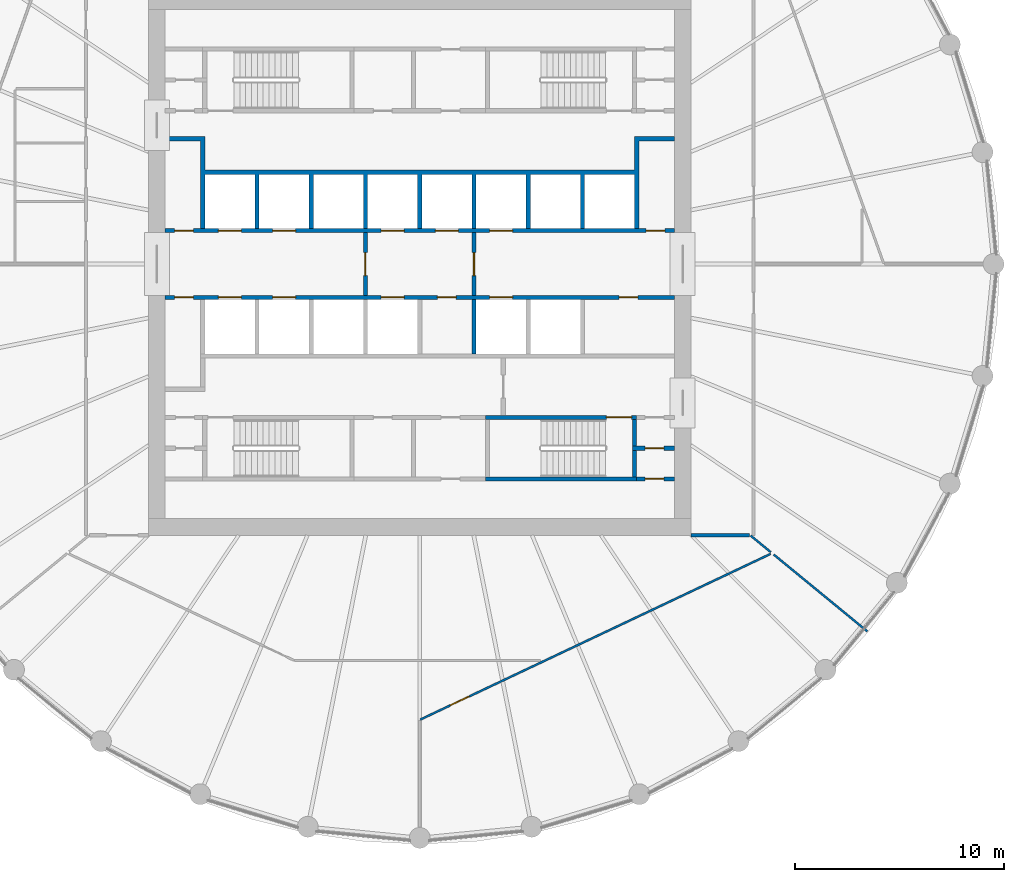
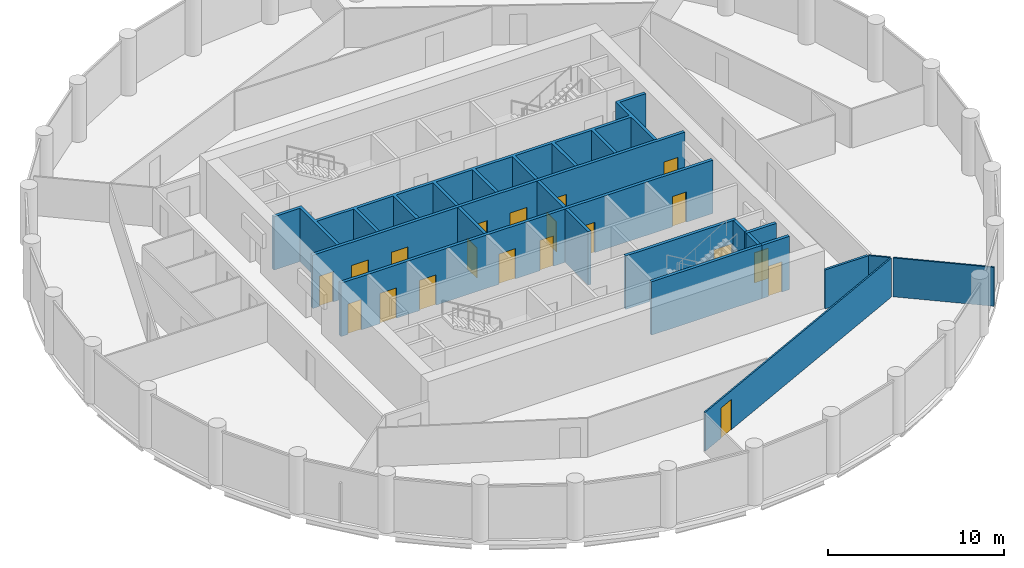
# One storey, part 5 of 8: 20 doors, 16 walls, 20 openings.
"""IFC4 building model written with IfcOpenShell, lengths in metres."""

import ifcopenshell
import ifcopenshell.guid

model = None  # the IFC model being written
_history = None  # IfcOwnerHistory: only IFC2X3 demands one
_inside = {}  # id of a spatial element -> (the spatial element, [elements in it])
_under = {}  # id of a project, library or spatial element -> (it, [spatial elements below it])
_declared = {}  # id of a project -> (the project, [libraries it declares])
_typed = {}  # id of a type object -> (the type object, [elements of that type])
_made_of = {}  # id of a material, layer set ... -> (it, [elements and type objects made of it])


def new_model(schema):
    """Start an empty IFC model of exactly this schema.

    Asked for "IFC4X3", IfcOpenShell would pick the latest addendum, in which some entities
    have other attributes; the version numbers below select the first issue.
    IFC2X3 requires an IfcOwnerHistory on every rooted entity: one is made here for all.
    """
    global model, _history
    if schema == "IFC4X3":
        model = ifcopenshell.file(schema_version=(4, 3, 0, 0))
    else:
        model = ifcopenshell.file(schema=schema)
    _inside.clear()
    _under.clear()
    _declared.clear()
    _typed.clear()
    _made_of.clear()
    _history = None
    if model.schema == "IFC2X3":
        org = make("IfcOrganization", Name="unknown")
        user = make(
            "IfcPersonAndOrganization",
            ThePerson=make("IfcPerson", FamilyName="unknown"),
            TheOrganization=org,
        )
        app = make(
            "IfcApplication",
            ApplicationDeveloper=org,
            Version="unknown",
            ApplicationFullName="unknown",
            ApplicationIdentifier="unknown",
        )
        _history = make(
            "IfcOwnerHistory",
            OwningUser=user,
            OwningApplication=app,
            ChangeAction="ADDED",
            CreationDate=0,
        )
    return model


def make(cls, **values):
    """One entity of the class cls with the attributes given. An attribute that is None is left unset."""
    return model.create_entity(
        cls, **{name: value for name, value in values.items() if value is not None}
    )


def rooted(cls, **values):
    """An entity with a GlobalId (a new one), such as an element, a storey or a relation."""
    return make(cls, GlobalId=ifcopenshell.guid.new(), OwnerHistory=_history, **values)


def si_unit(unit_type, name, prefix=None):
    """IfcSIUnit, for example si_unit("LENGTHUNIT", "METRE", prefix="MILLI")."""
    return make("IfcSIUnit", UnitType=unit_type, Prefix=prefix, Name=name)


def assignment(units):
    """IfcUnitAssignment: the units of a project."""
    return None if units is None else make("IfcUnitAssignment", Units=units)


def point(xyz):
    """IfcCartesianPoint."""
    return None if xyz is None else make("IfcCartesianPoint", Coordinates=xyz)


def direction(xyz):
    """IfcDirection."""
    return None if xyz is None else make("IfcDirection", DirectionRatios=xyz)


def frame(location, z_axis=None, x_axis=None):
    """IfcAxis2Placement3D, a coordinate frame: its origin and axes. An axis left out is left unset."""
    return make(
        "IfcAxis2Placement3D",
        Location=point(location),
        Axis=direction(z_axis),
        RefDirection=direction(x_axis),
    )


def frame_2d(location, x_axis=None):
    """IfcAxis2Placement2D, a coordinate frame in the plane: its origin and x axis."""
    return make(
        "IfcAxis2Placement2D", Location=point(location), RefDirection=direction(x_axis)
    )


def origin():
    """The frame at (0, 0, 0) with its axes left unset."""
    return frame((0.0, 0.0, 0.0))


def place(relative_to, where):
    """IfcLocalPlacement: puts the frame where relative to a parent placement (None: the world)."""
    return make(
        "IfcLocalPlacement", PlacementRelTo=relative_to, RelativePlacement=where
    )


def context(
    kind, dimensions, precision=None, world=None, true_north=None, identifier=None
):
    """IfcGeometricRepresentationContext, for example the 3D "Model" context."""
    return make(
        "IfcGeometricRepresentationContext",
        ContextIdentifier=identifier,
        ContextType=kind,
        CoordinateSpaceDimension=dimensions,
        Precision=precision,
        WorldCoordinateSystem=world,
        TrueNorth=true_north,
    )


def subcontext(parent, identifier, kind, view, scale=None):
    """IfcGeometricRepresentationSubContext, for example "Body" below "Model"."""
    return make(
        "IfcGeometricRepresentationSubContext",
        ContextIdentifier=identifier,
        ContextType=kind,
        ParentContext=parent,
        TargetScale=scale,
        TargetView=view,
    )


def project(units=None, contexts=None):
    """IfcProject with its units and contexts."""
    return rooted(
        "IfcProject",
        Name="project",
        RepresentationContexts=contexts,
        UnitsInContext=assignment(units),
    )


def spatial(cls, under=None, at=None, **own):
    """A site, building, storey or space (cls), placed at a placement, below another one or the project."""
    s = rooted(cls, ObjectPlacement=at, **own)
    if under is not None:
        _under.setdefault(under.id(), (under, []))[1].append(s)
    return s


def polyline(points):
    """IfcPolyline through the points."""
    return make("IfcPolyline", Points=[point(p) for p in points])


def profile(cls, at=None, kind="AREA", **sizes):
    """A parametric profile (cls). Its sizes go by their IFC names, for example OverallWidth=200.0."""
    return make(cls, ProfileType=kind, Position=at, **sizes)


def rectangle(**sizes):
    """IfcRectangleProfileDef."""
    return profile("IfcRectangleProfileDef", **sizes)


def outline(outer, holes=None, kind="AREA"):
    """IfcArbitraryClosedProfileDef: a profile drawn as a closed curve; with holes, ...WithVoids."""
    if holes is None:
        return make("IfcArbitraryClosedProfileDef", ProfileType=kind, OuterCurve=outer)
    return make(
        "IfcArbitraryProfileDefWithVoids",
        ProfileType=kind,
        OuterCurve=outer,
        InnerCurves=holes,
    )


def extrude(swept, where, along, depth):
    """IfcExtrudedAreaSolid: the profile swept, set in the frame where, extruded along a direction by depth."""
    return make(
        "IfcExtrudedAreaSolid",
        SweptArea=swept,
        Position=where,
        ExtrudedDirection=direction(along),
        Depth=depth,
    )


def shape(context_of_items, identifier, shape_type, items):
    """IfcShapeRepresentation: the items that make up one representation, for example the "Body"."""
    return make(
        "IfcShapeRepresentation",
        ContextOfItems=context_of_items,
        RepresentationIdentifier=identifier,
        RepresentationType=shape_type,
        Items=items,
    )


def material(Name=None, Category=None):
    """IfcMaterial."""
    return make("IfcMaterial", Name=Name, Category=Category)


def layer(
    of_material, thickness, ventilated=None, Name=None, Category=None, Priority=None
):
    """IfcMaterialLayer: one layer of a wall or slab, of a material (None: an air gap)."""
    return make(
        "IfcMaterialLayer",
        Material=of_material,
        LayerThickness=thickness,
        IsVentilated=ventilated,
        Name=Name,
        Category=Category,
        Priority=Priority,
    )


def layer_set(layers, Name=None):
    """IfcMaterialLayerSet."""
    return make("IfcMaterialLayerSet", MaterialLayers=layers, LayerSetName=Name)


def made_of(thing, what):
    """Note that an element or type object is made of a material, layer set ...; save() writes the relation."""
    if what is not None:
        _made_of.setdefault(what.id(), (what, []))[1].append(thing)
    return thing


def type_object(cls, material=None, **own):
    """A type object (cls), such as IfcWallType, which elements share."""
    return made_of(rooted(cls, **own), material)


def element(
    cls,
    number,
    at=None,
    inside=None,
    cuts=None,
    type_object=None,
    material=None,
    context=None,
    identifier="Body",
    shape_type=None,
    held_by="IfcProductDefinitionShape",
    body=None,
    shapes=None,
    **own,
):
    """One element of the class cls, such as IfcWall. Its Tag is "e" and its number.

    at: its placement. inside: the storey or other place that contains it. cuts: it is an
    opening in that element (IfcRelVoidsElement). A single representation is given by context,
    identifier, shape_type and body (its items); several are given by shapes. held_by: the class
    of the entity that holds the representations. save() writes the other relations.
    """
    e = rooted(cls, Tag="e%d" % number, ObjectPlacement=at, **own)
    if body is not None:
        shapes = [shape(context, identifier, shape_type, body)]
    if shapes is not None:
        e.Representation = make(held_by, Representations=shapes)
    if inside is not None:
        _inside.setdefault(inside.id(), (inside, []))[1].append(e)
    if cuts is not None:
        rooted(
            "IfcRelVoidsElement", RelatingBuildingElement=cuts, RelatedOpeningElement=e
        )
    if type_object is not None:
        _typed.setdefault(type_object.id(), (type_object, []))[1].append(e)
    return made_of(e, material)


def fill(opening, filler):
    """IfcRelFillsElement: the door or window that sits in an opening."""
    return rooted(
        "IfcRelFillsElement",
        RelatingOpeningElement=opening,
        RelatedBuildingElement=filler,
    )


def aggregate(whole, parts):
    """IfcRelAggregates: a whole, such as a stair, and the parts it consists of."""
    return rooted("IfcRelAggregates", RelatingObject=whole, RelatedObjects=parts)


def save(model, path):
    """Write the relations noted so far, then the file.

    IfcRelAggregates (storeys below a building ...), IfcRelContainedInSpatialStructure (elements
    in a storey), IfcRelDefinesByType, IfcRelAssociatesMaterial and IfcRelDeclares: one each for
    every whole, place, type object, material and project.
    """
    for whole, parts in _under.values():
        aggregate(whole, parts)
    for where, things in _inside.values():
        rooted(
            "IfcRelContainedInSpatialStructure",
            RelatedElements=things,
            RelatingStructure=where,
        )
    for kind, things in _typed.values():
        rooted("IfcRelDefinesByType", RelatedObjects=things, RelatingType=kind)
    for what, things in _made_of.values():
        rooted("IfcRelAssociatesMaterial", RelatedObjects=things, RelatingMaterial=what)
    for by, libraries in _declared.values():
        rooted("IfcRelDeclares", RelatingContext=by, RelatedDefinitions=libraries)
    model.write(path)


model = new_model("IFC4")

# Units and contexts
model_context = context("Model", 3, precision=1e-05, world=origin(), true_north=direction((0.0, 1.0)))
body_context = subcontext(model_context, "Body", "Model", "MODEL_VIEW")
ifc_project = project(units=[si_unit("LENGTHUNIT", "METRE"), si_unit("AREAUNIT", "SQUARE_METRE"), si_unit("VOLUMEUNIT", "CUBIC_METRE"), si_unit("PLANEANGLEUNIT", "RADIAN"), si_unit("MASSUNIT", "GRAM", prefix="KILO")], contexts=[model_context])

# Site, building, storey
site_placement = place(None, origin())
site = spatial("IfcSite", under=ifc_project, at=site_placement, CompositionType="ELEMENT")
building_placement = place(site_placement, origin())
building = spatial("IfcBuilding", under=site, at=building_placement, Name="Corvane Civic Tower", CompositionType="ELEMENT")
storey_placement = place(building_placement, frame((0.0, 0.0, 237.5)))
storey = spatial("IfcBuildingStorey", under=building, at=storey_placement, Name="L56", CompositionType="ELEMENT", Elevation=237.5)

# Wall, opening, door
ifc_material_1 = material(Name="Concrete C30/37", Category="concrete")
ifc_layer_1 = layer(ifc_material_1, 0.199951171875)
ifc_layer_set_1 = layer_set([ifc_layer_1], Name="Concrete C30/37")
wall_type_1 = type_object("IfcWallType", Name="CR-WALL-200", PredefinedType="PARTITIONING", material=ifc_layer_set_1)
wall_1_placement = place(storey_placement, frame((10.39990234375, -10.300048828125, 0.0), z_axis=(0.0, 0.0, 1.0), x_axis=(1.0, 0.0, 0.0)))
wall_1 = element("IfcWall", 1, at=wall_1_placement, inside=storey, type_object=wall_type_1, Name="L56 partition wall", PredefinedType="PARTITIONING", context=body_context, shape_type="SweptSolid", body=[
    extrude(rectangle(XDim=1.800048828125, YDim=0.199951171875, at=frame_2d((0.89990234375, 0.0))), origin(), (0.0, 0.0, 1.0), 3.699951171875),
])
opening_1_placement = place(wall_1_placement, frame((0.39990234375, 0.0, 0.0)))
opening_1 = element("IfcOpeningElement", 2, at=opening_1_placement, cuts=wall_1, Name="Opening L56.C21", PredefinedType="OPENING", context=body_context, shape_type="SweptSolid", body=[
    extrude(rectangle(XDim=0.89990234375, YDim=2.10009765625, at=frame_2d((0.449951171875, 1.050048828125))), frame((0.0, 0.10986328125, 0.0), z_axis=(0.0, -1.0, 0.0), x_axis=(1.0, 0.0, 0.0)), (0.0, 0.0, 1.0), 0.219970703125),
])
ifc_material_2 = material(Name="Steel fire door leaf", Category="steel")
door_type_1 = type_object("IfcDoorType", Name="CR-DOOR-900", OperationType="SINGLE_SWING_LEFT", PredefinedType="DOOR", material=ifc_material_2)
door_1_placement = place(opening_1_placement, origin())
door_1 = element("IfcDoor", 3, at=door_1_placement, inside=storey, type_object=door_type_1, Name="L56 door", OperationType="SINGLE_SWING_LEFT", OverallHeight=2.10009765625, OverallWidth=0.89990234375, PredefinedType="DOOR", context=body_context, shape_type="SweptSolid", body=[
    extrude(rectangle(XDim=0.89990234375, YDim=2.10009765625, at=frame_2d((0.449951171875, 1.050048828125))), frame((0.0, 0.02490234375, 0.0), z_axis=(0.0, -1.0, 0.0), x_axis=(1.0, 0.0, 0.0)), (0.0, 0.0, 1.0), 0.050048828125),
])
fill(opening_1, door_1)

wall_2_placement = place(storey_placement, frame((10.199951171875, -8.824951171875, 0.0), z_axis=(0.0, 0.0, 1.0), x_axis=(1.0, 0.0, 0.0)))
wall_2 = element("IfcWall", 4, at=wall_2_placement, inside=storey, type_object=wall_type_1, Name="L56 partition wall", PredefinedType="PARTITIONING", context=body_context, shape_type="SweptSolid", body=[
    extrude(rectangle(XDim=2.0, YDim=0.199951171875, at=frame_2d((1.0, 0.0))), origin(), (0.0, 0.0, 1.0), 3.699951171875),
])
opening_2_placement = place(wall_2_placement, frame((0.60009765625, 0.0, 0.0)))
opening_2 = element("IfcOpeningElement", 5, at=opening_2_placement, cuts=wall_2, Name="Opening L56.C20", PredefinedType="OPENING", context=body_context, shape_type="SweptSolid", body=[
    extrude(rectangle(XDim=0.89990234375, YDim=2.10009765625, at=frame_2d((0.449951171875, 1.050048828125))), frame((0.0, 0.10986328125, 0.0), z_axis=(0.0, -1.0, 0.0), x_axis=(1.0, 0.0, 0.0)), (0.0, 0.0, 1.0), 0.219970703125),
])
door_2_placement = place(opening_2_placement, origin())
door_2 = element("IfcDoor", 6, at=door_2_placement, inside=storey, type_object=door_type_1, Name="L56 door", OperationType="SINGLE_SWING_LEFT", OverallHeight=2.10009765625, OverallWidth=0.89990234375, PredefinedType="DOOR", context=body_context, shape_type="SweptSolid", body=[
    extrude(rectangle(XDim=0.89990234375, YDim=2.10009765625, at=frame_2d((0.449951171875, 1.050048828125))), frame((0.0, 0.02490234375, 0.0), z_axis=(0.0, -1.0, 0.0), x_axis=(1.0, 0.0, 0.0)), (0.0, 0.0, 1.0), 0.050048828125),
])
fill(opening_2, door_2)

# Wall, openings, doors
wall_3_placement = place(storey_placement, frame((-12.199951171875, -1.60009765625, 0.0), z_axis=(0.0, 0.0, 1.0), x_axis=(1.0, 0.0, 0.0)))
wall_3 = element("IfcWall", 7, at=wall_3_placement, inside=storey, type_object=wall_type_1, Name="L56 lift shaft wall", PredefinedType="PARTITIONING", context=body_context, shape_type="SweptSolid", body=[
    extrude(rectangle(XDim=24.39990234375, YDim=0.199951171875, at=frame_2d((12.199951171875, 0.0))), origin(), (0.0, 0.0, 1.0), 3.699951171875),
])
opening_3_placement = place(wall_3_placement, frame((2.550048828125, 0.0, 0.0)))
opening_3 = element("IfcOpeningElement", 8, at=opening_3_placement, cuts=wall_3, Name="Opening LD", PredefinedType="OPENING", context=body_context, shape_type="SweptSolid", body=[
    extrude(rectangle(XDim=1.10009765625, YDim=2.10009765625, at=frame_2d((0.550048828125, 1.050048828125))), frame((0.0, 0.10986328125, 0.0), z_axis=(0.0, -1.0, 0.0), x_axis=(1.0, 0.0, 0.0)), (0.0, 0.0, 1.0), 0.219970703125),
])
opening_4_placement = place(wall_3_placement, frame((5.14990234375, 0.0, 0.0)))
opening_4 = element("IfcOpeningElement", 9, at=opening_4_placement, cuts=wall_3, Name="Opening LD", PredefinedType="OPENING", context=body_context, shape_type="SweptSolid", body=[
    extrude(rectangle(XDim=1.10009765625, YDim=2.10009765625, at=frame_2d((0.550048828125, 1.050048828125))), frame((0.0, 0.10986328125, 0.0), z_axis=(0.0, -1.0, 0.0), x_axis=(1.0, 0.0, 0.0)), (0.0, 0.0, 1.0), 0.219970703125),
])
opening_5_placement = place(wall_3_placement, frame((10.35009765625, 0.0, 0.0)))
opening_5 = element("IfcOpeningElement", 10, at=opening_5_placement, cuts=wall_3, Name="Opening LD", PredefinedType="OPENING", context=body_context, shape_type="SweptSolid", body=[
    extrude(rectangle(XDim=1.10009765625, YDim=2.10009765625, at=frame_2d((0.550048828125, 1.050048828125))), frame((0.0, 0.10986328125, 0.0), z_axis=(0.0, -1.0, 0.0), x_axis=(1.0, 0.0, 0.0)), (0.0, 0.0, 1.0), 0.219970703125),
])
opening_6_placement = place(wall_3_placement, frame((13.050048828125, 0.0, 0.0)))
opening_6 = element("IfcOpeningElement", 11, at=opening_6_placement, cuts=wall_3, Name="Opening L56.C03", PredefinedType="OPENING", context=body_context, shape_type="SweptSolid", body=[
    extrude(rectangle(XDim=0.89990234375, YDim=2.10009765625, at=frame_2d((0.449951171875, 1.050048828125))), frame((0.0, 0.10986328125, 0.0), z_axis=(0.0, -1.0, 0.0), x_axis=(1.0, 0.0, 0.0)), (0.0, 0.0, 1.0), 0.219970703125),
])
opening_7_placement = place(wall_3_placement, frame((15.550048828125, 0.0, 0.0)))
opening_7 = element("IfcOpeningElement", 12, at=opening_7_placement, cuts=wall_3, Name="Opening LD", PredefinedType="OPENING", context=body_context, shape_type="SweptSolid", body=[
    extrude(rectangle(XDim=1.10009765625, YDim=2.10009765625, at=frame_2d((0.550048828125, 1.050048828125))), frame((0.0, 0.10986328125, 0.0), z_axis=(0.0, -1.0, 0.0), x_axis=(1.0, 0.0, 0.0)), (0.0, 0.0, 1.0), 0.219970703125),
])
opening_8_placement = place(wall_3_placement, frame((0.449951171875, 0.0, 0.0)))
opening_8 = element("IfcOpeningElement", 13, at=opening_8_placement, cuts=wall_3, Name="Opening L56.C04", PredefinedType="OPENING", context=body_context, shape_type="SweptSolid", body=[
    extrude(rectangle(XDim=0.89990234375, YDim=2.10009765625, at=frame_2d((0.449951171875, 1.050048828125))), frame((0.0, 0.10986328125, 0.0), z_axis=(0.0, -1.0, 0.0), x_axis=(1.0, 0.0, 0.0)), (0.0, 0.0, 1.0), 0.219970703125),
])
opening_9_placement = place(wall_3_placement, frame((21.75, 0.0, 0.0)))
opening_9 = element("IfcOpeningElement", 14, at=opening_9_placement, cuts=wall_3, Name="Opening L56.C05", PredefinedType="OPENING", context=body_context, shape_type="SweptSolid", body=[
    extrude(rectangle(XDim=0.89990234375, YDim=2.10009765625, at=frame_2d((0.449951171875, 1.050048828125))), frame((0.0, 0.10986328125, 0.0), z_axis=(0.0, -1.0, 0.0), x_axis=(1.0, 0.0, 0.0)), (0.0, 0.0, 1.0), 0.219970703125),
])
door_3_placement = place(opening_6_placement, origin())
door_3 = element("IfcDoor", 15, at=door_3_placement, inside=storey, type_object=door_type_1, Name="L56 door", OperationType="SINGLE_SWING_LEFT", OverallHeight=2.10009765625, OverallWidth=0.89990234375, PredefinedType="DOOR", context=body_context, shape_type="SweptSolid", body=[
    extrude(rectangle(XDim=0.89990234375, YDim=2.10009765625, at=frame_2d((0.449951171875, 1.050048828125))), frame((0.0, 0.02490234375, 0.0), z_axis=(0.0, -1.0, 0.0), x_axis=(1.0, 0.0, 0.0)), (0.0, 0.0, 1.0), 0.050048828125),
])
fill(opening_6, door_3)
door_4_placement = place(opening_8_placement, origin())
door_4 = element("IfcDoor", 16, at=door_4_placement, inside=storey, type_object=door_type_1, Name="L56 door", OperationType="SINGLE_SWING_LEFT", OverallHeight=2.10009765625, OverallWidth=0.89990234375, PredefinedType="DOOR", context=body_context, shape_type="SweptSolid", body=[
    extrude(rectangle(XDim=0.89990234375, YDim=2.10009765625, at=frame_2d((0.449951171875, 1.050048828125))), frame((0.0, 0.02490234375, 0.0), z_axis=(0.0, -1.0, 0.0), x_axis=(1.0, 0.0, 0.0)), (0.0, 0.0, 1.0), 0.050048828125),
])
fill(opening_8, door_4)
door_5_placement = place(opening_9_placement, origin())
door_5 = element("IfcDoor", 17, at=door_5_placement, inside=storey, type_object=door_type_1, Name="L56 door", OperationType="SINGLE_SWING_LEFT", OverallHeight=2.10009765625, OverallWidth=0.89990234375, PredefinedType="DOOR", context=body_context, shape_type="SweptSolid", body=[
    extrude(rectangle(XDim=0.89990234375, YDim=2.10009765625, at=frame_2d((0.449951171875, 1.050048828125))), frame((0.0, 0.02490234375, 0.0), z_axis=(0.0, -1.0, 0.0), x_axis=(1.0, 0.0, 0.0)), (0.0, 0.0, 1.0), 0.050048828125),
])
fill(opening_9, door_5)
ifc_material_3 = material(Name="Stainless steel 316 door leaves", Category="steel")
door_type_2 = type_object("IfcDoorType", Name="LD", OperationType="DOUBLE_DOOR_SLIDING", PredefinedType="DOOR", material=ifc_material_3)
door_6_placement = place(opening_3_placement, origin())
door_6 = element("IfcDoor", 18, at=door_6_placement, inside=storey, type_object=door_type_2, Name="L56 landing door", OperationType="DOUBLE_DOOR_SLIDING", OverallHeight=2.10009765625, OverallWidth=1.10009765625, PredefinedType="DOOR", context=body_context, shape_type="SweptSolid", body=[
    extrude(rectangle(XDim=1.10009765625, YDim=2.10009765625, at=frame_2d((0.550048828125, 1.050048828125))), frame((0.0, 0.02490234375, 0.0), z_axis=(0.0, -1.0, 0.0), x_axis=(1.0, 0.0, 0.0)), (0.0, 0.0, 1.0), 0.050048828125),
])
fill(opening_3, door_6)
door_7_placement = place(opening_4_placement, origin())
door_7 = element("IfcDoor", 19, at=door_7_placement, inside=storey, type_object=door_type_2, Name="L56 landing door", OperationType="DOUBLE_DOOR_SLIDING", OverallHeight=2.10009765625, OverallWidth=1.10009765625, PredefinedType="DOOR", context=body_context, shape_type="SweptSolid", body=[
    extrude(rectangle(XDim=1.10009765625, YDim=2.10009765625, at=frame_2d((0.550048828125, 1.050048828125))), frame((0.0, 0.02490234375, 0.0), z_axis=(0.0, -1.0, 0.0), x_axis=(1.0, 0.0, 0.0)), (0.0, 0.0, 1.0), 0.050048828125),
])
fill(opening_4, door_7)
door_8_placement = place(opening_5_placement, origin())
door_8 = element("IfcDoor", 20, at=door_8_placement, inside=storey, type_object=door_type_2, Name="L56 landing door", OperationType="DOUBLE_DOOR_SLIDING", OverallHeight=2.10009765625, OverallWidth=1.10009765625, PredefinedType="DOOR", context=body_context, shape_type="SweptSolid", body=[
    extrude(rectangle(XDim=1.10009765625, YDim=2.10009765625, at=frame_2d((0.550048828125, 1.050048828125))), frame((0.0, 0.02490234375, 0.0), z_axis=(0.0, -1.0, 0.0), x_axis=(1.0, 0.0, 0.0)), (0.0, 0.0, 1.0), 0.050048828125),
])
fill(opening_5, door_8)
door_9_placement = place(opening_7_placement, origin())
door_9 = element("IfcDoor", 21, at=door_9_placement, inside=storey, type_object=door_type_2, Name="L56 landing door", OperationType="DOUBLE_DOOR_SLIDING", OverallHeight=2.10009765625, OverallWidth=1.10009765625, PredefinedType="DOOR", context=body_context, shape_type="SweptSolid", body=[
    extrude(rectangle(XDim=1.10009765625, YDim=2.10009765625, at=frame_2d((0.550048828125, 1.050048828125))), frame((0.0, 0.02490234375, 0.0), z_axis=(0.0, -1.0, 0.0), x_axis=(1.0, 0.0, 0.0)), (0.0, 0.0, 1.0), 0.050048828125),
])
fill(opening_7, door_9)

wall_4_placement = place(storey_placement, frame((-12.199951171875, 1.60009765625, 0.0), z_axis=(0.0, 0.0, 1.0), x_axis=(1.0, 0.0, 0.0)))
wall_4 = element("IfcWall", 22, at=wall_4_placement, inside=storey, type_object=wall_type_1, Name="L56 lift shaft wall", PredefinedType="PARTITIONING", context=body_context, shape_type="SweptSolid", body=[
    extrude(rectangle(XDim=24.39990234375, YDim=0.199951171875, at=frame_2d((12.199951171875, 0.0))), origin(), (0.0, 0.0, 1.0), 3.699951171875),
])
opening_10_placement = place(wall_4_placement, frame((2.550048828125, 0.0, 0.0)))
opening_10 = element("IfcOpeningElement", 23, at=opening_10_placement, cuts=wall_4, Name="Opening LD", PredefinedType="OPENING", context=body_context, shape_type="SweptSolid", body=[
    extrude(rectangle(XDim=1.10009765625, YDim=2.10009765625, at=frame_2d((0.550048828125, 1.050048828125))), frame((0.0, 0.10986328125, 0.0), z_axis=(0.0, -1.0, 0.0), x_axis=(1.0, 0.0, 0.0)), (0.0, 0.0, 1.0), 0.219970703125),
])
opening_11_placement = place(wall_4_placement, frame((5.14990234375, 0.0, 0.0)))
opening_11 = element("IfcOpeningElement", 24, at=opening_11_placement, cuts=wall_4, Name="Opening LD", PredefinedType="OPENING", context=body_context, shape_type="SweptSolid", body=[
    extrude(rectangle(XDim=1.10009765625, YDim=2.10009765625, at=frame_2d((0.550048828125, 1.050048828125))), frame((0.0, 0.10986328125, 0.0), z_axis=(0.0, -1.0, 0.0), x_axis=(1.0, 0.0, 0.0)), (0.0, 0.0, 1.0), 0.219970703125),
])
opening_12_placement = place(wall_4_placement, frame((10.35009765625, 0.0, 0.0)))
opening_12 = element("IfcOpeningElement", 25, at=opening_12_placement, cuts=wall_4, Name="Opening LD", PredefinedType="OPENING", context=body_context, shape_type="SweptSolid", body=[
    extrude(rectangle(XDim=1.10009765625, YDim=2.10009765625, at=frame_2d((0.550048828125, 1.050048828125))), frame((0.0, 0.10986328125, 0.0), z_axis=(0.0, -1.0, 0.0), x_axis=(1.0, 0.0, 0.0)), (0.0, 0.0, 1.0), 0.219970703125),
])
opening_13_placement = place(wall_4_placement, frame((12.949951171875, 0.0, 0.0)))
opening_13 = element("IfcOpeningElement", 26, at=opening_13_placement, cuts=wall_4, Name="Opening LD", PredefinedType="OPENING", context=body_context, shape_type="SweptSolid", body=[
    extrude(rectangle(XDim=1.10009765625, YDim=2.10009765625, at=frame_2d((0.550048828125, 1.050048828125))), frame((0.0, 0.10986328125, 0.0), z_axis=(0.0, -1.0, 0.0), x_axis=(1.0, 0.0, 0.0)), (0.0, 0.0, 1.0), 0.219970703125),
])
opening_14_placement = place(wall_4_placement, frame((15.550048828125, 0.0, 0.0)))
opening_14 = element("IfcOpeningElement", 27, at=opening_14_placement, cuts=wall_4, Name="Opening LD", PredefinedType="OPENING", context=body_context, shape_type="SweptSolid", body=[
    extrude(rectangle(XDim=1.10009765625, YDim=2.10009765625, at=frame_2d((0.550048828125, 1.050048828125))), frame((0.0, 0.10986328125, 0.0), z_axis=(0.0, -1.0, 0.0), x_axis=(1.0, 0.0, 0.0)), (0.0, 0.0, 1.0), 0.219970703125),
])
opening_15_placement = place(wall_4_placement, frame((0.449951171875, 0.0, 0.0)))
opening_15 = element("IfcOpeningElement", 28, at=opening_15_placement, cuts=wall_4, Name="Opening L56.C01", PredefinedType="OPENING", context=body_context, shape_type="SweptSolid", body=[
    extrude(rectangle(XDim=0.89990234375, YDim=2.10009765625, at=frame_2d((0.449951171875, 1.050048828125))), frame((0.0, 0.10986328125, 0.0), z_axis=(0.0, -1.0, 0.0), x_axis=(1.0, 0.0, 0.0)), (0.0, 0.0, 1.0), 0.219970703125),
])
opening_16_placement = place(wall_4_placement, frame((23.050048828125, 0.0, 0.0)))
opening_16 = element("IfcOpeningElement", 29, at=opening_16_placement, cuts=wall_4, Name="Opening L56.C02", PredefinedType="OPENING", context=body_context, shape_type="SweptSolid", body=[
    extrude(rectangle(XDim=0.89990234375, YDim=2.10009765625, at=frame_2d((0.449951171875, 1.050048828125))), frame((0.0, 0.10986328125, 0.0), z_axis=(0.0, -1.0, 0.0), x_axis=(1.0, 0.0, 0.0)), (0.0, 0.0, 1.0), 0.219970703125),
])
door_10_placement = place(opening_15_placement, origin())
door_10 = element("IfcDoor", 30, at=door_10_placement, inside=storey, type_object=door_type_1, Name="L56 door", OperationType="SINGLE_SWING_LEFT", OverallHeight=2.10009765625, OverallWidth=0.89990234375, PredefinedType="DOOR", context=body_context, shape_type="SweptSolid", body=[
    extrude(rectangle(XDim=0.89990234375, YDim=2.10009765625, at=frame_2d((0.449951171875, 1.050048828125))), frame((0.0, 0.02490234375, 0.0), z_axis=(0.0, -1.0, 0.0), x_axis=(1.0, 0.0, 0.0)), (0.0, 0.0, 1.0), 0.050048828125),
])
fill(opening_15, door_10)
door_11_placement = place(opening_16_placement, origin())
door_11 = element("IfcDoor", 31, at=door_11_placement, inside=storey, type_object=door_type_1, Name="L56 door", OperationType="SINGLE_SWING_LEFT", OverallHeight=2.10009765625, OverallWidth=0.89990234375, PredefinedType="DOOR", context=body_context, shape_type="SweptSolid", body=[
    extrude(rectangle(XDim=0.89990234375, YDim=2.10009765625, at=frame_2d((0.449951171875, 1.050048828125))), frame((0.0, 0.02490234375, 0.0), z_axis=(0.0, -1.0, 0.0), x_axis=(1.0, 0.0, 0.0)), (0.0, 0.0, 1.0), 0.050048828125),
])
fill(opening_16, door_11)
door_12_placement = place(opening_10_placement, origin())
door_12 = element("IfcDoor", 32, at=door_12_placement, inside=storey, type_object=door_type_2, Name="L56 landing door", OperationType="DOUBLE_DOOR_SLIDING", OverallHeight=2.10009765625, OverallWidth=1.10009765625, PredefinedType="DOOR", context=body_context, shape_type="SweptSolid", body=[
    extrude(rectangle(XDim=1.10009765625, YDim=2.10009765625, at=frame_2d((0.550048828125, 1.050048828125))), frame((0.0, 0.02490234375, 0.0), z_axis=(0.0, -1.0, 0.0), x_axis=(1.0, 0.0, 0.0)), (0.0, 0.0, 1.0), 0.050048828125),
])
fill(opening_10, door_12)
door_13_placement = place(opening_11_placement, origin())
door_13 = element("IfcDoor", 33, at=door_13_placement, inside=storey, type_object=door_type_2, Name="L56 landing door", OperationType="DOUBLE_DOOR_SLIDING", OverallHeight=2.10009765625, OverallWidth=1.10009765625, PredefinedType="DOOR", context=body_context, shape_type="SweptSolid", body=[
    extrude(rectangle(XDim=1.10009765625, YDim=2.10009765625, at=frame_2d((0.550048828125, 1.050048828125))), frame((0.0, 0.02490234375, 0.0), z_axis=(0.0, -1.0, 0.0), x_axis=(1.0, 0.0, 0.0)), (0.0, 0.0, 1.0), 0.050048828125),
])
fill(opening_11, door_13)
door_14_placement = place(opening_12_placement, origin())
door_14 = element("IfcDoor", 34, at=door_14_placement, inside=storey, type_object=door_type_2, Name="L56 landing door", OperationType="DOUBLE_DOOR_SLIDING", OverallHeight=2.10009765625, OverallWidth=1.10009765625, PredefinedType="DOOR", context=body_context, shape_type="SweptSolid", body=[
    extrude(rectangle(XDim=1.10009765625, YDim=2.10009765625, at=frame_2d((0.550048828125, 1.050048828125))), frame((0.0, 0.02490234375, 0.0), z_axis=(0.0, -1.0, 0.0), x_axis=(1.0, 0.0, 0.0)), (0.0, 0.0, 1.0), 0.050048828125),
])
fill(opening_12, door_14)
door_15_placement = place(opening_13_placement, origin())
door_15 = element("IfcDoor", 35, at=door_15_placement, inside=storey, type_object=door_type_2, Name="L56 landing door", OperationType="DOUBLE_DOOR_SLIDING", OverallHeight=2.10009765625, OverallWidth=1.10009765625, PredefinedType="DOOR", context=body_context, shape_type="SweptSolid", body=[
    extrude(rectangle(XDim=1.10009765625, YDim=2.10009765625, at=frame_2d((0.550048828125, 1.050048828125))), frame((0.0, 0.02490234375, 0.0), z_axis=(0.0, -1.0, 0.0), x_axis=(1.0, 0.0, 0.0)), (0.0, 0.0, 1.0), 0.050048828125),
])
fill(opening_13, door_15)
door_16_placement = place(opening_14_placement, origin())
door_16 = element("IfcDoor", 36, at=door_16_placement, inside=storey, type_object=door_type_2, Name="L56 landing door", OperationType="DOUBLE_DOOR_SLIDING", OverallHeight=2.10009765625, OverallWidth=1.10009765625, PredefinedType="DOOR", context=body_context, shape_type="SweptSolid", body=[
    extrude(rectangle(XDim=1.10009765625, YDim=2.10009765625, at=frame_2d((0.550048828125, 1.050048828125))), frame((0.0, 0.02490234375, 0.0), z_axis=(0.0, -1.0, 0.0), x_axis=(1.0, 0.0, 0.0)), (0.0, 0.0, 1.0), 0.050048828125),
])
fill(opening_14, door_16)

# Wall, opening, door
wall_5_placement = place(storey_placement, frame((-2.60009765625, -1.5, 0.0), z_axis=(0.0, 0.0, 1.0), x_axis=(0.0, 1.0, 0.0)))
wall_5 = element("IfcWall", 37, at=wall_5_placement, inside=storey, type_object=wall_type_1, Name="L56 firefighting lobby wall", PredefinedType="PARTITIONING", context=body_context, shape_type="SweptSolid", body=[
    extrude(rectangle(XDim=3.0, YDim=0.199951171875, at=frame_2d((1.5, 0.0))), origin(), (0.0, 0.0, 1.0), 3.699951171875),
])
opening_17_placement = place(wall_5_placement, frame((0.949951171875, 0.0, 0.0)))
opening_17 = element("IfcOpeningElement", 38, at=opening_17_placement, cuts=wall_5, Name="Opening L56.C26", PredefinedType="OPENING", context=body_context, shape_type="SweptSolid", body=[
    extrude(rectangle(XDim=1.10009765625, YDim=2.10009765625, at=frame_2d((0.550048828125, 1.050048828125))), frame((0.0, 0.10986328125, 0.0), z_axis=(0.0, -1.0, 0.0), x_axis=(1.0, 0.0, 0.0)), (0.0, 0.0, 1.0), 0.219970703125),
])
ifc_material_4 = material(Name="Steel fire door leaf", Category="steel")
door_type_3 = type_object("IfcDoorType", Name="CR-DOOR-FFL-1100", OperationType="SINGLE_SWING_LEFT", PredefinedType="DOOR", material=ifc_material_4)
door_17_placement = place(opening_17_placement, origin())
door_17 = element("IfcDoor", 39, at=door_17_placement, inside=storey, type_object=door_type_3, Name="L56 lobby door", OperationType="SINGLE_SWING_LEFT", OverallHeight=2.10009765625, OverallWidth=1.10009765625, PredefinedType="DOOR", context=body_context, shape_type="SweptSolid", body=[
    extrude(rectangle(XDim=1.10009765625, YDim=2.10009765625, at=frame_2d((0.550048828125, 1.050048828125))), frame((0.0, 0.02490234375, 0.0), z_axis=(0.0, -1.0, 0.0), x_axis=(1.0, 0.0, 0.0)), (0.0, 0.0, 1.0), 0.050048828125),
])
fill(opening_17, door_17)

wall_6_placement = place(storey_placement, frame((2.60009765625, -1.5, 0.0), z_axis=(0.0, 0.0, 1.0), x_axis=(0.0, 1.0, 0.0)))
wall_6 = element("IfcWall", 40, at=wall_6_placement, inside=storey, type_object=wall_type_1, Name="L56 firefighting lobby wall", PredefinedType="PARTITIONING", context=body_context, shape_type="SweptSolid", body=[
    extrude(rectangle(XDim=3.0, YDim=0.199951171875, at=frame_2d((1.5, 0.0))), origin(), (0.0, 0.0, 1.0), 3.699951171875),
])
opening_18_placement = place(wall_6_placement, frame((0.949951171875, 0.0, 0.0)))
opening_18 = element("IfcOpeningElement", 41, at=opening_18_placement, cuts=wall_6, Name="Opening L56.C27", PredefinedType="OPENING", context=body_context, shape_type="SweptSolid", body=[
    extrude(rectangle(XDim=1.10009765625, YDim=2.10009765625, at=frame_2d((0.550048828125, 1.050048828125))), frame((0.0, 0.10986328125, 0.0), z_axis=(0.0, -1.0, 0.0), x_axis=(1.0, 0.0, 0.0)), (0.0, 0.0, 1.0), 0.219970703125),
])
door_18_placement = place(opening_18_placement, origin())
door_18 = element("IfcDoor", 42, at=door_18_placement, inside=storey, type_object=door_type_3, Name="L56 lobby door", OperationType="SINGLE_SWING_LEFT", OverallHeight=2.10009765625, OverallWidth=1.10009765625, PredefinedType="DOOR", context=body_context, shape_type="SweptSolid", body=[
    extrude(rectangle(XDim=1.10009765625, YDim=2.10009765625, at=frame_2d((0.550048828125, 1.050048828125))), frame((0.0, 0.02490234375, 0.0), z_axis=(0.0, -1.0, 0.0), x_axis=(1.0, 0.0, 0.0)), (0.0, 0.0, 1.0), 0.050048828125),
])
fill(opening_18, door_18)

# Walls
wall_7_placement = place(storey_placement, origin())
element("IfcWall", 43, at=wall_7_placement, inside=storey, type_object=wall_type_1, Name="L56 core partition wall", PredefinedType="PARTITIONING", context=body_context, shape_type="SweptSolid", body=[
    extrude(outline(polyline([(2.699951171875, -1.699951171875), (2.699951171875, -4.2998046875), (2.5, -4.2998046875), (2.5, -1.699951171875), (2.699951171875, -1.699951171875)])), origin(), (0.0, 0.0, 1.0), 3.699951171875),
])
wall_8_placement = place(storey_placement, origin())
element("IfcWall", 44, at=wall_8_placement, inside=storey, type_object=wall_type_1, Name="L56 core partition wall", PredefinedType="PARTITIONING", context=body_context, shape_type="SweptSolid", body=[
    extrude(outline(polyline([(-10.300048828125, 1.699951171875), (-10.5, 1.699951171875), (-10.5, 5.89990234375), (-12.199951171875, 5.89990234375), (-12.199951171875, 6.10009765625), (-10.300048828125, 6.10009765625), (-10.300048828125, 4.5), (10.300048828125, 4.5), (10.300048828125, 6.10009765625), (12.199951171875, 6.10009765625), (12.199951171875, 5.89990234375), (10.5, 5.89990234375), (10.5, 1.699951171875), (10.300048828125, 1.699951171875), (10.300048828125, 4.300048828125), (7.89990234375, 4.300048828125), (7.89990234375, 1.699951171875), (7.699951171875, 1.699951171875), (7.699951171875, 4.300048828125), (5.300048828125, 4.300048828125), (5.300048828125, 1.699951171875), (5.10009765625, 1.699951171875), (5.10009765625, 4.300048828125), (2.699951171875, 4.300048828125), (2.699951171875, 1.699951171875), (2.5, 1.699951171875), (2.5, 4.300048828125), (0.10009765625, 4.300048828125), (0.10009765625, 1.699951171875), (-0.10009765625, 1.699951171875), (-0.10009765625, 4.300048828125), (-2.5, 4.300048828125), (-2.5, 1.699951171875), (-2.699951171875, 1.699951171875), (-2.699951171875, 4.300048828125), (-5.10009765625, 4.300048828125), (-5.10009765625, 1.699951171875), (-5.300048828125, 1.699951171875), (-5.300048828125, 4.300048828125), (-7.699951171875, 4.300048828125), (-7.699951171875, 1.699951171875), (-7.89990234375, 1.699951171875), (-7.89990234375, 4.300048828125), (-10.300048828125, 4.300048828125), (-10.300048828125, 1.699951171875)])), origin(), (0.0, 0.0, 1.0), 3.699951171875),
])

# Wall, opening, door
ifc_material_5 = material(Name="Plasterboard")
ifc_layer_2 = layer(ifc_material_5, 0.10009765625)
ifc_layer_set_2 = layer_set([ifc_layer_2], Name="Plasterboard")
wall_type_2 = type_object("IfcWallType", Name="Partition 100 plasterboard on studs", PredefinedType="PARTITIONING", material=ifc_layer_set_2)
wall_9_placement = place(storey_placement, frame((0.028564453125, -21.82958984375, 0.0), z_axis=(0.0, 0.0, 1.0), x_axis=(0.903990686967, 0.427552146383, 0.0)))
wall_9 = element("IfcWall", 45, at=wall_9_placement, inside=storey, type_object=wall_type_2, Name="Partition L56.002", PredefinedType="PARTITIONING", context=body_context, shape_type="SweptSolid", body=[
    extrude(rectangle(XDim=18.56787109375, YDim=0.10009765625, at=frame_2d((9.283935546875, 0.0))), origin(), (0.0, 0.0, 1.0), 2.699951171875),
])
opening_19_placement = place(wall_9_placement, frame((1.586181640625, 0.0, 0.0)))
opening_19 = element("IfcOpeningElement", 46, at=opening_19_placement, cuts=wall_9, Name="Opening L56.005", PredefinedType="OPENING", context=body_context, shape_type="SweptSolid", body=[
    extrude(rectangle(XDim=1.0, YDim=2.10009765625, at=frame_2d((0.5, 1.050048828125))), frame((0.0, 0.06005859375, 0.0), z_axis=(0.0, -1.0, 0.0), x_axis=(1.0, 0.0, 0.0)), (0.0, 0.0, 1.0), 0.1201171875),
])
ifc_material_6 = material(Name="Timber", Category="wood")
door_type_4 = type_object("IfcDoorType", Name="Single door 1000", OperationType="NOTDEFINED", PredefinedType="DOOR", material=ifc_material_6)
door_19_placement = place(opening_19_placement, frame((1.0, 0.0, 0.0), z_axis=(0.0, 0.0, 1.0), x_axis=(-1.0, 0.0, 0.0)))
door_19 = element("IfcDoor", 47, at=door_19_placement, inside=storey, type_object=door_type_4, Name="Door L56.005", OperationType="SINGLE_SWING_LEFT", OverallHeight=2.10009765625, OverallWidth=1.0, PredefinedType="DOOR", context=body_context, shape_type="SweptSolid", body=[
    extrude(rectangle(XDim=1.0, YDim=2.10009765625, at=frame_2d((0.5, 1.050048828125))), frame((0.0, 0.02490234375, 0.0), z_axis=(0.0, -1.0, 0.0), x_axis=(1.0, 0.0, 0.0)), (0.0, 0.0, 1.0), 0.050048828125),
])
fill(opening_19, door_19)

# Walls
wall_10_placement = place(storey_placement, frame((16.96435546875, -13.922119140625, 0.0), z_axis=(0.0, 0.0, 1.0), x_axis=(0.77299879553, -0.634407489008, 0.0)))
element("IfcWall", 48, at=wall_10_placement, inside=storey, type_object=wall_type_2, Name="Partition L56.006", PredefinedType="PARTITIONING", context=body_context, shape_type="SweptSolid", body=[
    extrude(rectangle(XDim=5.804443359375, YDim=0.10009765625, at=frame_2d((2.90234375, 0.0))), origin(), (0.0, 0.0, 1.0), 2.699951171875),
])
wall_11_placement = place(storey_placement, frame((15.8544921875, -13.01123046875, 0.0), z_axis=(0.0, 0.0, 1.0), x_axis=(0.773002384802, -0.634403115606, 0.0)))
element("IfcWall", 49, at=wall_11_placement, inside=storey, type_object=wall_type_2, Name="Partition L56.007", PredefinedType="PARTITIONING", context=body_context, shape_type="SweptSolid", body=[
    extrude(rectangle(XDim=1.254150390625, YDim=0.10009765625, at=frame_2d((0.626953125, 0.0))), origin(), (0.0, 0.0, 1.0), 2.699951171875),
])

# Wall, opening, door
ifc_material_7 = material(Name="Concrete C50/60", Category="concrete")
ifc_layer_3 = layer(ifc_material_7, 0.199951171875)
ifc_layer_set_3 = layer_set([ifc_layer_3], Name="Concrete C50/60")
wall_type_3 = type_object("IfcWallType", Name="ST-WALL-200", PredefinedType="SHEAR", material=ifc_layer_set_3)
wall_12_placement = place(storey_placement, frame((3.14990234375, -7.35009765625, 0.0), z_axis=(0.0, 0.0, 1.0), x_axis=(1.0, 0.0, 0.0)))
wall_12 = element("IfcWall", 50, at=wall_12_placement, inside=storey, type_object=wall_type_3, Name="L56 stair enclosure wall", PredefinedType="SHEAR", context=body_context, shape_type="SweptSolid", body=[
    extrude(rectangle(XDim=7.25, YDim=0.199951171875, at=frame_2d((3.625, 0.0))), origin(), (0.0, 0.0, 1.0), 3.699951171875),
])
opening_20_placement = place(wall_12_placement, frame((5.800048828125, 0.0, 0.0)))
opening_20 = element("IfcOpeningElement", 51, at=opening_20_placement, cuts=wall_12, Name="Opening L56.C24", PredefinedType="OPENING", context=body_context, shape_type="SweptSolid", body=[
    extrude(rectangle(XDim=1.199951171875, YDim=2.10009765625, at=frame_2d((0.60009765625, 1.050048828125))), frame((0.0, 0.10986328125, 0.0), z_axis=(0.0, -1.0, 0.0), x_axis=(1.0, 0.0, 0.0)), (0.0, 0.0, 1.0), 0.219970703125),
])
ifc_material_8 = material(Name="Steel fire door leaf", Category="steel")
door_type_5 = type_object("IfcDoorType", Name="ST-DOOR-1200", OperationType="SINGLE_SWING_RIGHT", PredefinedType="DOOR", material=ifc_material_8)
door_20_placement = place(opening_20_placement, origin())
door_20 = element("IfcDoor", 52, at=door_20_placement, inside=storey, type_object=door_type_5, Name="L56 stair door", OperationType="SINGLE_SWING_RIGHT", OverallHeight=2.10009765625, OverallWidth=1.199951171875, PredefinedType="DOOR", context=body_context, shape_type="SweptSolid", body=[
    extrude(rectangle(XDim=1.199951171875, YDim=2.10009765625, at=frame_2d((0.60009765625, 1.050048828125))), frame((0.0, 0.02490234375, 0.0), z_axis=(0.0, -1.0, 0.0), x_axis=(1.0, 0.0, 0.0)), (0.0, 0.0, 1.0), 0.050048828125),
])
fill(opening_20, door_20)

# Walls
wall_13_placement = place(storey_placement, origin())
element("IfcWall", 53, at=wall_13_placement, inside=storey, type_object=wall_type_3, Name="L56 stair enclosure wall", PredefinedType="SHEAR", context=body_context, shape_type="SweptSolid", body=[
    extrude(outline(polyline([(10.39990234375, -10.39990234375), (3.14990234375, -10.39990234375), (3.14990234375, -10.199951171875), (10.39990234375, -10.199951171875), (10.39990234375, -10.39990234375)])), origin(), (0.0, 0.0, 1.0), 3.699951171875),
])
wall_14_placement = place(storey_placement, origin())
element("IfcWall", 54, at=wall_14_placement, inside=storey, type_object=wall_type_3, Name="L56 stair enclosure wall", PredefinedType="SHEAR", context=body_context, shape_type="SweptSolid", body=[
    extrude(outline(polyline([(10.39990234375, -7.449951171875), (10.39990234375, -8.72509765625), (10.199951171875, -8.72509765625), (10.199951171875, -7.449951171875), (10.39990234375, -7.449951171875)])), origin(), (0.0, 0.0, 1.0), 3.699951171875),
])
wall_15_placement = place(storey_placement, origin())
element("IfcWall", 55, at=wall_15_placement, inside=storey, type_object=wall_type_3, Name="L56 stair enclosure wall", PredefinedType="SHEAR", context=body_context, shape_type="SweptSolid", body=[
    extrude(outline(polyline([(10.39990234375, -8.925048828125), (10.39990234375, -10.199951171875), (10.199951171875, -10.199951171875), (10.199951171875, -8.925048828125), (10.39990234375, -8.925048828125)])), origin(), (0.0, 0.0, 1.0), 3.699951171875),
])
ifc_material_9 = material(Name="Plasterboard")
ifc_layer_4 = layer(ifc_material_9, 0.14990234375)
ifc_layer_set_4 = layer_set([ifc_layer_4], Name="Plasterboard")
wall_type_4 = type_object("IfcWallType", Name="Tenancy wall 150 EI 60", PredefinedType="PARTITIONING", material=ifc_layer_set_4)
wall_16_placement = place(storey_placement, frame((12.989990234375, -13.0, 0.0), z_axis=(0.0, 0.0, 1.0), x_axis=(1.0, 0.0, 0.0)))
element("IfcWall", 56, at=wall_16_placement, inside=storey, type_object=wall_type_4, Name="Partition L56.011", PredefinedType="PARTITIONING", context=body_context, shape_type="SweptSolid", body=[
    extrude(rectangle(XDim=2.82373046875, YDim=0.14990234375, at=frame_2d((1.411865234375, 0.0))), origin(), (0.0, 0.0, 1.0), 2.699951171875),
])

save(model, "model.ifc")
